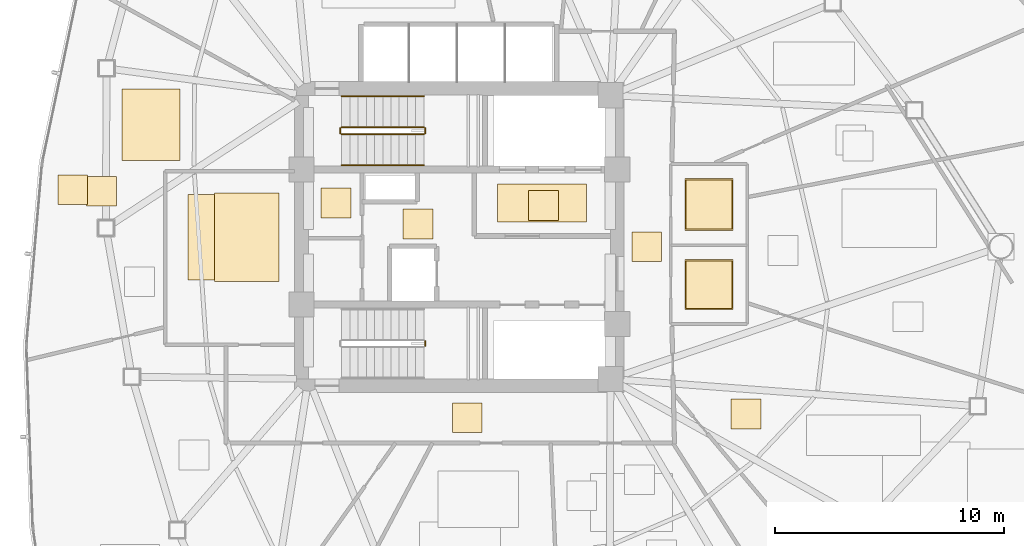
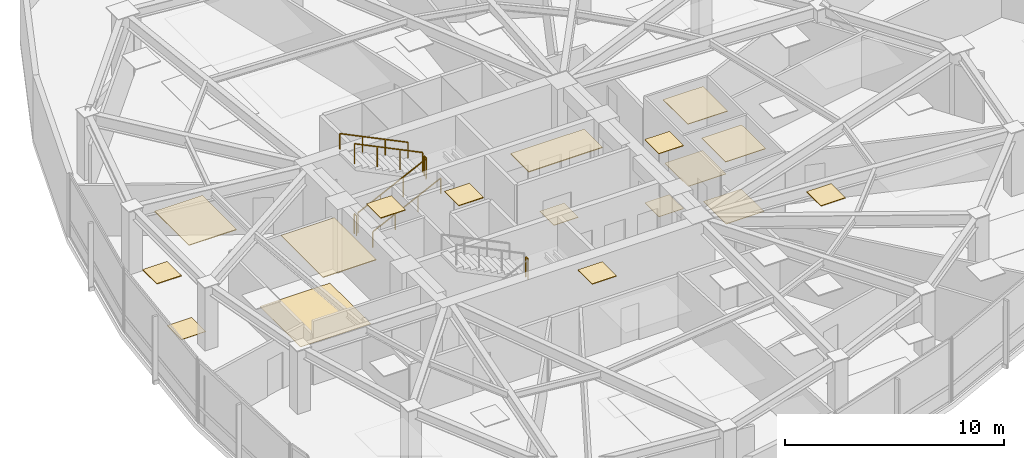
# One storey, part 15 of 17: 17 coverings, 7 railings.
"""IFC4 building model written with IfcOpenShell, lengths in metres."""

from ifc_helpers import new_model, si_unit, direction, frame, origin, origin_2d, place, context, subcontext, project, spatial, polyline, rectangle, outline, extrude, material, layer, layer_set, type_object, element, save


model = new_model("IFC4")

# Units and contexts
model_context = context("Model", 3, precision=1e-05, world=origin(), true_north=direction((0.0, 1.0)))
body_context = subcontext(model_context, "Body", "Model", "MODEL_VIEW")
ifc_project = project(units=[si_unit("LENGTHUNIT", "METRE"), si_unit("AREAUNIT", "SQUARE_METRE"), si_unit("VOLUMEUNIT", "CUBIC_METRE"), si_unit("PLANEANGLEUNIT", "RADIAN"), si_unit("MASSUNIT", "GRAM", prefix="KILO")], contexts=[model_context])

# Site, building, storey
site_placement = place(None, origin())
site = spatial("IfcSite", under=ifc_project, at=site_placement, CompositionType="ELEMENT")
building_placement = place(site_placement, origin())
building = spatial("IfcBuilding", under=site, at=building_placement, Name="Tavelor Broadcast Tower", CompositionType="ELEMENT")
storey_placement = place(building_placement, frame((0.0, 0.0, 123.300048828125)))
storey = spatial("IfcBuildingStorey", under=building, at=storey_placement, Name="L28", CompositionType="ELEMENT", Elevation=123.300048828125)

# Coverings
ifc_material_1 = material(Name="Copper-Bronze Anodized Aluminium", Category="aluminium")
ifc_layer_1 = layer(ifc_material_1, 0.044921875)
ifc_layer_set_1 = layer_set([ifc_layer_1], Name="Copper-Bronze Anodized Aluminium")
covering_type_1 = type_object("IfcCoveringType", Name="Anodised Bronze Linear Slatted Concourse Ceiling 45 mm", PredefinedType="CEILING", material=ifc_layer_set_1)
covering_1_placement = place(storey_placement, frame((0.0, 0.0, 3.5048828125)))
element("IfcCovering", 1, at=covering_1_placement, inside=storey, type_object=covering_type_1, Name="L28 Suspended Acoustic Ceiling 1095", PredefinedType="CEILING", context=body_context, shape_type="SweptSolid", body=[
    extrude(outline(polyline([(51.659912109375, 45.654296875), (55.55712890625, 45.654296875), (55.55712890625, 47.331787109375), (51.659912109375, 47.331787109375), (51.659912109375, 45.654296875)])), origin(), (0.0, 0.0, 1.0), 0.045166015625),
])
covering_2_placement = place(storey_placement, frame((0.0, 0.0, 3.5048828125)))
element("IfcCovering", 2, at=covering_2_placement, inside=storey, type_object=covering_type_1, Name="L28 Suspended Acoustic Ceiling 1096", PredefinedType="CEILING", context=body_context, shape_type="SweptSolid", body=[
    extrude(outline(polyline([(47.5400390625, 44.919921875), (48.840087890625, 44.919921875), (48.840087890625, 46.219970703125), (47.5400390625, 46.219970703125), (47.5400390625, 44.919921875)])), origin(), (0.0, 0.0, 1.0), 0.045166015625),
])

# Railings
ifc_material_2 = material(Name="Steel S355", Category="steel")
railing_type_1 = type_object("IfcRailingType", Name="Continuous Brushed Stainless Handrail 900 mm", PredefinedType="HANDRAIL", material=ifc_material_2)
railing_1_placement = place(storey_placement, frame((44.85009765625, 48.14990234375, 0.175048828125)))
element("IfcRailing", 3, at=railing_1_placement, inside=storey, type_object=railing_type_1, Name="L28 ST1 stair handrail 1", PredefinedType="HANDRAIL", context=body_context, shape_type="SweptSolid", body=[
    extrude(rectangle(XDim=0.048095703125, YDim=0.048095703125, at=origin_2d()), frame((0.0, 0.0, 0.8759765625), z_axis=(0.899360859046, 0.0, 0.437207096483), x_axis=(0.0, 1.0, 0.0)), (0.0, 0.0, 1.0), 4.002685546875),
    extrude(rectangle(XDim=0.0419921875, YDim=0.0419921875, at=origin_2d()), origin(), (0.0, 0.0, 1.0), 0.851806640625),
    extrude(rectangle(XDim=0.0419921875, YDim=0.0419921875, at=origin_2d()), frame((1.199951171875, 0.0, 0.583251953125)), (0.0, 0.0, 1.0), 0.851806640625),
    extrude(rectangle(XDim=0.0419921875, YDim=0.0419921875, at=origin_2d()), frame((2.39990234375, 0.0, 1.166748046875)), (0.0, 0.0, 1.0), 0.851806640625),
    extrude(rectangle(XDim=0.0419921875, YDim=0.0419921875, at=origin_2d()), frame((3.599853515625, 0.0, 1.75)), (0.0, 0.0, 1.0), 0.851806640625),
])
railing_2_placement = place(storey_placement, frame((48.449951171875, 51.14990234375, 2.099853515625)))
element("IfcRailing", 4, at=railing_2_placement, inside=storey, type_object=railing_type_1, Name="L28 ST1 stair handrail 2", PredefinedType="HANDRAIL", context=body_context, shape_type="SweptSolid", body=[
    extrude(rectangle(XDim=0.048095703125, YDim=0.048095703125, at=origin_2d()), frame((0.0, 0.0, 0.8759765625), z_axis=(-0.899360859046, 0.0, 0.437207096483), x_axis=(0.0, -1.0, 0.0)), (0.0, 0.0, 1.0), 4.002685546875),
    extrude(rectangle(XDim=0.0419921875, YDim=0.0419921875, at=origin_2d()), origin(), (0.0, 0.0, 1.0), 0.851806640625),
    extrude(rectangle(XDim=0.0419921875, YDim=0.0419921875, at=origin_2d()), frame((-1.199951171875, 0.0, 0.583251953125)), (0.0, 0.0, 1.0), 0.851806640625),
    extrude(rectangle(XDim=0.0419921875, YDim=0.0419921875, at=origin_2d()), frame((-2.39990234375, 0.0, 1.166748046875)), (0.0, 0.0, 1.0), 0.851806640625),
    extrude(rectangle(XDim=0.0419921875, YDim=0.0419921875, at=origin_2d()), frame((-3.599853515625, 0.0, 1.75)), (0.0, 0.0, 1.0), 0.851806640625),
])

# Coverings
ifc_material_3 = material(Name="Architectural Anodized Aluminium", Category="aluminium")
ifc_layer_2 = layer(ifc_material_3, 0.034912109375)
ifc_layer_set_2 = layer_set([ifc_layer_2], Name="Architectural Anodized Aluminium")
covering_type_2 = type_object("IfcCoveringType", Name="Demountable Metal Tile Corridor Ceiling 35 mm", PredefinedType="CEILING", material=ifc_layer_set_2)
covering_3_placement = place(storey_placement, frame((0.0, 0.0, 3.514892578125)))
element("IfcCovering", 5, at=covering_3_placement, inside=storey, type_object=covering_type_2, Name="L28 Suspended Acoustic Ceiling 1098", PredefinedType="CEILING", context=body_context, shape_type="SweptSolid", body=[
    extrude(outline(polyline([(57.5400390625, 43.925048828125), (58.840087890625, 43.925048828125), (58.840087890625, 45.22509765625), (57.5400390625, 45.22509765625), (57.5400390625, 43.925048828125)])), origin(), (0.0, 0.0, 1.0), 0.03515625),
])
covering_4_placement = place(storey_placement, frame((0.0, 0.0, 3.514892578125)))
element("IfcCovering", 6, at=covering_4_placement, inside=storey, type_object=covering_type_2, Name="L28 Suspended Acoustic Ceiling 1099", PredefinedType="CEILING", context=body_context, shape_type="SweptSolid", body=[
    extrude(outline(polyline([(49.689208984375, 36.449951171875), (50.9892578125, 36.449951171875), (50.9892578125, 37.75), (49.689208984375, 37.75), (49.689208984375, 36.449951171875)])), origin(), (0.0, 0.0, 1.0), 0.03515625),
])
ifc_material_4 = material(Name="Acoustic Nylon Carpet Tile")
ifc_layer_3 = layer(ifc_material_4, 0.02001953125)
ifc_layer_set_3 = layer_set([ifc_layer_3], Name="Acoustic Nylon Carpet Tile")
covering_type_3 = type_object("IfcCoveringType", Name="Heavy-Duty Acoustic Broadcast Carpet Tile 20 mm", PredefinedType="FLOORING", material=ifc_layer_set_3)
covering_5_placement = place(storey_placement, origin())
element("IfcCovering", 7, at=covering_5_placement, inside=storey, type_object=covering_type_3, Name="L28 Broadcast Floor Finish 0385", PredefinedType="FLOORING", context=body_context, shape_type="SweptSolid", body=[
    extrude(outline(polyline([(57.5400390625, 43.925048828125), (58.840087890625, 43.925048828125), (58.840087890625, 45.22509765625), (57.5400390625, 45.22509765625), (57.5400390625, 43.925048828125)])), origin(), (0.0, 0.0, 1.0), 0.02001953125),
])
covering_6_placement = place(storey_placement, origin())
element("IfcCovering", 8, at=covering_6_placement, inside=storey, type_object=covering_type_3, Name="L28 Broadcast Floor Finish 0386", PredefinedType="FLOORING", context=body_context, shape_type="SweptSolid", body=[
    extrude(outline(polyline([(38.143798828125, 43.12890625), (41.856201171875, 43.12890625), (41.856201171875, 46.87060546875), (38.143798828125, 46.87060546875), (38.143798828125, 43.12890625)])), origin(), (0.0, 0.0, 1.0), 0.02001953125),
])
covering_7_placement = place(storey_placement, origin())
element("IfcCovering", 9, at=covering_7_placement, inside=storey, type_object=covering_type_3, Name="L28 Broadcast Floor Finish 0393", PredefinedType="FLOORING", context=body_context, shape_type="SweptSolid", body=[
    extrude(outline(polyline([(33.70751953125, 46.3603515625), (35.00732421875, 46.3603515625), (35.00732421875, 47.660400390625), (33.70751953125, 47.660400390625), (33.70751953125, 46.3603515625)])), origin(), (0.0, 0.0, 1.0), 0.02001953125),
])
ifc_material_5 = material(Name="Honed Natural Limestone Tile", Category="masonry")
ifc_layer_4 = layer(ifc_material_5, 0.030029296875)
ifc_layer_set_4 = layer_set([ifc_layer_4], Name="Honed Natural Limestone Tile")
covering_type_4 = type_object("IfcCoveringType", Name="Honed Jerusalem Limestone Concourse Flooring 30 mm", PredefinedType="FLOORING", material=ifc_layer_set_4)
covering_8_placement = place(storey_placement, origin())
element("IfcCovering", 10, at=covering_8_placement, inside=storey, type_object=covering_type_4, Name="L28 Broadcast Floor Finish 0384", PredefinedType="FLOORING", context=body_context, shape_type="SweptSolid", body=[
    extrude(outline(polyline([(53.030029296875, 45.728515625), (54.330078125, 45.728515625), (54.330078125, 47.028564453125), (53.030029296875, 47.028564453125), (53.030029296875, 45.728515625)])), origin(), (0.0, 0.0, 1.0), 0.030029296875),
])
ifc_layer_5 = layer(ifc_material_3, 0.030029296875)
ifc_layer_set_5 = layer_set([ifc_layer_5], Name="Architectural Anodized Aluminium")
covering_type_5 = type_object("IfcCoveringType", Name="Moisture-Resistant Washroom Ceiling 30 mm", PredefinedType="CEILING", material=ifc_layer_set_5)
covering_9_placement = place(storey_placement, frame((0.0, 0.0, 3.52001953125)))
element("IfcCovering", 11, at=covering_9_placement, inside=storey, type_object=covering_type_5, Name="L28 Suspended Acoustic Ceiling 1101", PredefinedType="CEILING", context=body_context, shape_type="SweptSolid", body=[
    extrude(outline(polyline([(59.85302734375, 41.828369140625), (61.967041015625, 41.828369140625), (61.967041015625, 44.021484375), (59.85302734375, 44.021484375), (59.85302734375, 41.828369140625)])), origin(), (0.0, 0.0, 1.0), 0.030029296875),
])
covering_10_placement = place(storey_placement, frame((0.0, 0.0, 3.52001953125)))
element("IfcCovering", 12, at=covering_10_placement, inside=storey, type_object=covering_type_5, Name="L28 Suspended Acoustic Ceiling 1102", PredefinedType="CEILING", context=body_context, shape_type="SweptSolid", body=[
    extrude(outline(polyline([(59.85302734375, 45.29248046875), (61.967041015625, 45.29248046875), (61.967041015625, 47.5576171875), (59.85302734375, 47.5576171875), (59.85302734375, 45.29248046875)])), origin(), (0.0, 0.0, 1.0), 0.030029296875),
])
ifc_material_6 = material(Name="Slip-Resistant Porcelain Tile")
ifc_layer_6 = layer(ifc_material_6, 0.02490234375)
ifc_layer_set_6 = layer_set([ifc_layer_6], Name="Slip-Resistant Porcelain Tile")
covering_type_6 = type_object("IfcCoveringType", Name="Slip-Resistant Porcelain Wet-Area Floor Tile 25 mm", PredefinedType="FLOORING", material=ifc_layer_set_6)
covering_11_placement = place(storey_placement, origin())
element("IfcCovering", 13, at=covering_11_placement, inside=storey, type_object=covering_type_6, Name="L28 Broadcast Floor Finish 0387", PredefinedType="FLOORING", context=body_context, shape_type="SweptSolid", body=[
    extrude(outline(polyline([(59.91064453125, 41.885986328125), (61.909423828125, 41.885986328125), (61.909423828125, 43.964111328125), (59.91064453125, 43.964111328125), (59.91064453125, 41.885986328125)])), origin(), (0.0, 0.0, 1.0), 0.02490234375),
])
covering_12_placement = place(storey_placement, origin())
element("IfcCovering", 14, at=covering_12_placement, inside=storey, type_object=covering_type_6, Name="L28 Broadcast Floor Finish 0388", PredefinedType="FLOORING", context=body_context, shape_type="SweptSolid", body=[
    extrude(outline(polyline([(59.91064453125, 45.35009765625), (61.909423828125, 45.35009765625), (61.909423828125, 47.5), (59.91064453125, 47.5), (59.91064453125, 45.35009765625)])), origin(), (0.0, 0.0, 1.0), 0.02490234375),
])

# Railings
railing_type_2 = type_object("IfcRailingType", Name="Stairwell Steel Safety Guardrail 1150 mm", PredefinedType="GUARDRAIL", material=ifc_material_2)
railing_3_placement = place(storey_placement, frame((44.85009765625, 49.5, 0.175048828125)))
element("IfcRailing", 15, at=railing_3_placement, inside=storey, type_object=railing_type_2, Name="L28 ST1 stair guard 1", PredefinedType="GUARDRAIL", context=body_context, shape_type="SweptSolid", body=[
    extrude(rectangle(XDim=0.048095703125, YDim=0.048095703125, at=origin_2d()), frame((0.0, 0.0, 1.1259765625), z_axis=(0.899360859046, 0.0, 0.437207096483), x_axis=(0.0, 1.0, 0.0)), (0.0, 0.0, 1.0), 4.002685546875),
    extrude(rectangle(XDim=0.0419921875, YDim=0.0419921875, at=origin_2d()), origin(), (0.0, 0.0, 1.0), 1.101806640625),
    extrude(rectangle(XDim=0.0419921875, YDim=0.0419921875, at=origin_2d()), frame((1.199951171875, 0.0, 0.583251953125)), (0.0, 0.0, 1.0), 1.101806640625),
    extrude(rectangle(XDim=0.0419921875, YDim=0.0419921875, at=origin_2d()), frame((2.39990234375, 0.0, 1.166748046875)), (0.0, 0.0, 1.0), 1.101806640625),
    extrude(rectangle(XDim=0.0419921875, YDim=0.0419921875, at=origin_2d()), frame((3.599853515625, 0.0, 1.75)), (0.0, 0.0, 1.0), 1.101806640625),
])
railing_4_placement = place(storey_placement, frame((48.5, 49.550048828125, 1.925048828125)))
element("IfcRailing", 16, at=railing_4_placement, inside=storey, type_object=railing_type_2, Name="L28 ST1 stair guard 2", PredefinedType="GUARDRAIL", context=body_context, shape_type="SweptSolid", body=[
    extrude(rectangle(XDim=0.048095703125, YDim=0.048095703125, at=origin_2d()), frame((0.0, 0.0, 1.1259765625), z_axis=(0.0, 1.0, 0.0), x_axis=(-1.0, 0.0, 0.0)), (0.0, 0.0, 1.0), 0.199951171875),
    extrude(rectangle(XDim=0.0419921875, YDim=0.0419921875, at=origin_2d()), origin(), (0.0, 0.0, 1.0), 1.101806640625),
    extrude(rectangle(XDim=0.0419921875, YDim=0.0419921875, at=origin_2d()), frame((0.0, 0.199951171875, 0.0)), (0.0, 0.0, 1.0), 1.101806640625),
])
railing_5_placement = place(storey_placement, frame((48.449951171875, 49.800048828125, 2.099853515625)))
element("IfcRailing", 17, at=railing_5_placement, inside=storey, type_object=railing_type_2, Name="L28 ST1 stair guard 3", PredefinedType="GUARDRAIL", context=body_context, shape_type="SweptSolid", body=[
    extrude(rectangle(XDim=0.048095703125, YDim=0.048095703125, at=origin_2d()), frame((0.0, 0.0, 1.1259765625), z_axis=(-0.899360859046, 0.0, 0.437207096483), x_axis=(0.0, -1.0, 0.0)), (0.0, 0.0, 1.0), 4.002685546875),
    extrude(rectangle(XDim=0.0419921875, YDim=0.0419921875, at=origin_2d()), origin(), (0.0, 0.0, 1.0), 1.101806640625),
    extrude(rectangle(XDim=0.0419921875, YDim=0.0419921875, at=origin_2d()), frame((-1.199951171875, 0.0, 0.583251953125)), (0.0, 0.0, 1.0), 1.101806640625),
    extrude(rectangle(XDim=0.0419921875, YDim=0.0419921875, at=origin_2d()), frame((-2.39990234375, 0.0, 1.166748046875)), (0.0, 0.0, 1.0), 1.101806640625),
    extrude(rectangle(XDim=0.0419921875, YDim=0.0419921875, at=origin_2d()), frame((-3.599853515625, 0.0, 1.75)), (0.0, 0.0, 1.0), 1.101806640625),
])
for number, where, name in (
    (18, (44.800048828125, 49.550048828125, 0.0), "L28 ST1 stair guard 4"),
    (19, (48.5, 40.25, 1.925048828125), "L28 ST2 stair guard 2"),
):
    element("IfcRailing", number, at=place(storey_placement, frame(where)), inside=storey, type_object=railing_type_2, Name=name, PredefinedType="GUARDRAIL", context=body_context, shape_type="SweptSolid", body=[
        extrude(rectangle(XDim=0.048095703125, YDim=0.048095703125, at=origin_2d()), frame((0.0, 0.0, 1.1259765625), z_axis=(0.0, 1.0, 0.0), x_axis=(-1.0, 0.0, 0.0)), (0.0, 0.0, 1.0), 0.199951171875),
        extrude(rectangle(XDim=0.0419921875, YDim=0.0419921875, at=origin_2d()), origin(), (0.0, 0.0, 1.0), 1.101806640625),
        extrude(rectangle(XDim=0.0419921875, YDim=0.0419921875, at=origin_2d()), frame((0.0, 0.199951171875, 0.0)), (0.0, 0.0, 1.0), 1.101806640625),
    ])

# Coverings
ifc_material_7 = material(Name="Acoustic Mineral Fibre Tile")
ifc_layer_7 = layer(ifc_material_7, 0.0400390625)
ifc_layer_set_7 = layer_set([ifc_layer_7], Name="Acoustic Mineral Fibre Tile")
covering_type_7 = type_object("IfcCoveringType", Name="Suspended Acoustic Mineral-Fibre Office Ceiling 40 mm", PredefinedType="CEILING", material=ifc_layer_set_7)
covering_13_placement = place(storey_placement, frame((0.0, 0.0, 3.510009765625)))
element("IfcCovering", 20, at=covering_13_placement, inside=storey, type_object=covering_type_7, Name="L28 Suspended Acoustic Ceiling 1097", PredefinedType="CEILING", context=body_context, shape_type="SweptSolid", body=[
    extrude(outline(polyline([(43.951416015625, 45.843017578125), (45.25146484375, 45.843017578125), (45.25146484375, 47.14306640625), (43.951416015625, 47.14306640625), (43.951416015625, 45.843017578125)])), origin(), (0.0, 0.0, 1.0), 0.0400390625),
])
covering_14_placement = place(storey_placement, frame((0.0, 0.0, 3.510009765625)))
element("IfcCovering", 21, at=covering_14_placement, inside=storey, type_object=covering_type_7, Name="L28 Suspended Acoustic Ceiling 1100", PredefinedType="CEILING", context=body_context, shape_type="SweptSolid", body=[
    extrude(outline(polyline([(39.2998046875, 43.0712890625), (42.111328125, 43.0712890625), (42.111328125, 46.927978515625), (39.2998046875, 46.927978515625), (39.2998046875, 43.0712890625)])), origin(), (0.0, 0.0, 1.0), 0.0400390625),
])
covering_15_placement = place(storey_placement, frame((0.0, 0.0, 3.510009765625)))
element("IfcCovering", 22, at=covering_15_placement, inside=storey, type_object=covering_type_7, Name="L28 Suspended Acoustic Ceiling 1104", PredefinedType="CEILING", context=body_context, shape_type="SweptSolid", body=[
    extrude(outline(polyline([(61.876708984375, 36.61474609375), (63.1767578125, 36.61474609375), (63.1767578125, 37.914794921875), (61.876708984375, 37.914794921875), (61.876708984375, 36.61474609375)])), origin(), (0.0, 0.0, 1.0), 0.0400390625),
])
covering_16_placement = place(storey_placement, frame((0.0, 0.0, 3.510009765625)))
element("IfcCovering", 23, at=covering_16_placement, inside=storey, type_object=covering_type_7, Name="L28 Suspended Acoustic Ceiling 1116", PredefinedType="CEILING", context=body_context, shape_type="SweptSolid", body=[
    extrude(outline(polyline([(32.45263671875, 46.42333984375), (33.752685546875, 46.42333984375), (33.752685546875, 47.723388671875), (32.45263671875, 47.723388671875), (32.45263671875, 46.42333984375)])), origin(), (0.0, 0.0, 1.0), 0.0400390625),
])
covering_17_placement = place(storey_placement, frame((0.0, 0.0, 3.510009765625)))
element("IfcCovering", 24, at=covering_17_placement, inside=storey, type_object=covering_type_7, Name="L28 Suspended Acoustic Ceiling 1117", PredefinedType="CEILING", context=body_context, shape_type="SweptSolid", body=[
    extrude(outline(polyline([(35.260498046875, 48.351318359375), (37.779052734375, 48.351318359375), (37.779052734375, 51.484619140625), (35.260498046875, 51.484619140625), (35.260498046875, 48.351318359375)])), origin(), (0.0, 0.0, 1.0), 0.0400390625),
])

save(model, "model.ifc")
